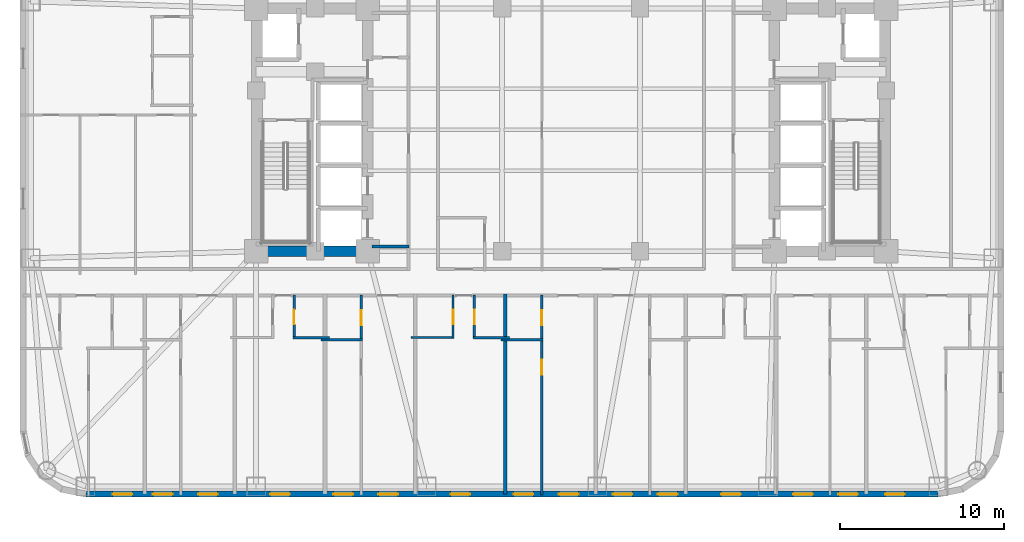
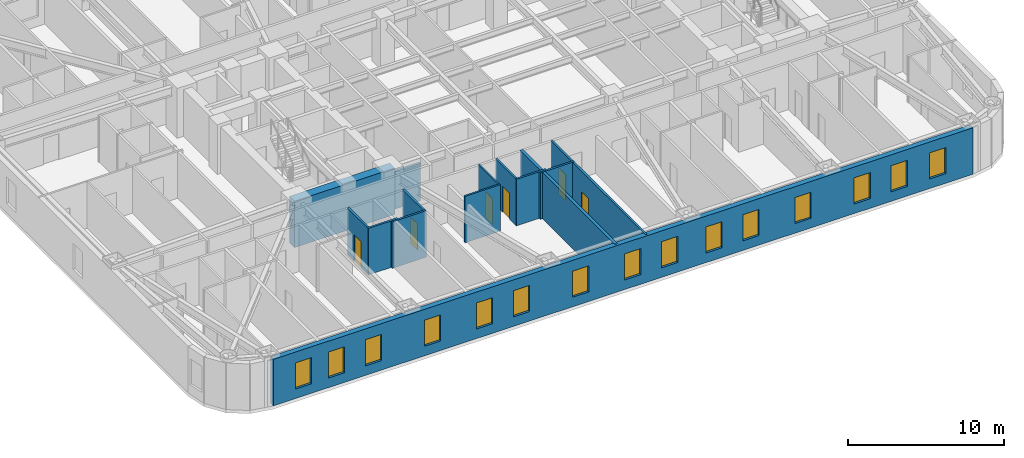
# One storey, part 3 of 11: 15 walls, 15 windows, 6 doors, 21 openings.
"""IFC4 building model written with IfcOpenShell, lengths in metres."""

from ifc_helpers import new_model, si_unit, direction, frame, frame_2d, origin, place, context, subcontext, project, spatial, rectangle, extrude, material, layer, layer_set, type_object, element, fill, save


model = new_model("IFC4")

# Units and contexts
model_context = context("Model", 3, precision=1e-05, world=origin(), true_north=direction((0.0, 1.0)))
body_context = subcontext(model_context, "Body", "Model", "MODEL_VIEW")
ifc_project = project(units=[si_unit("LENGTHUNIT", "METRE"), si_unit("AREAUNIT", "SQUARE_METRE"), si_unit("VOLUMEUNIT", "CUBIC_METRE"), si_unit("PLANEANGLEUNIT", "RADIAN"), si_unit("MASSUNIT", "GRAM", prefix="KILO")], contexts=[model_context])

# Site, building, storey
site_placement = place(None, origin())
site = spatial("IfcSite", under=ifc_project, at=site_placement, CompositionType="ELEMENT")
building_placement = place(site_placement, origin())
building = spatial("IfcBuilding", under=site, at=building_placement, Name="Voryun Gate Residences", CompositionType="ELEMENT")
storey_placement = place(building_placement, frame((0.0, 0.0, 68.89990234375)))
storey = spatial("IfcBuildingStorey", under=building, at=storey_placement, Name="L16", CompositionType="ELEMENT", Elevation=68.89990234375)

# Walls
ifc_material_1 = material(Name="Concrete C60/75", Category="concrete")
ifc_layer_1 = layer(ifc_material_1, 0.64990234375, Name="CW_CORE_650")
ifc_layer_set_1 = layer_set([ifc_layer_1], Name="Concrete C60/75")
wall_type_1 = type_object("IfcWallType", Name="CW_CORE_650", PredefinedType="SHEAR", material=ifc_layer_set_1)
wall_1_placement = place(storey_placement, frame((-19.52490234375, -7.39990234375, 0.0), z_axis=(0.0, 0.0, 1.0), x_axis=(1.0, 0.0, 0.0)))
element("IfcWall", 1, at=wall_1_placement, inside=storey, type_object=wall_type_1, Name="L16 Core shear wall CW-L16-WS", PredefinedType="SHEAR", context=body_context, shape_type="SweptSolid", body=[
    extrude(rectangle(XDim=7.449951171875, YDim=0.64990234375, at=frame_2d((3.72509765625, 0.0))), origin(), (0.0, 0.0, 1.0), 3.650146484375),
])
ifc_material_2 = material(Name="Gypsum acoustic fireboard")
ifc_layer_2 = layer(ifc_material_2, 0.179931640625, Name="W_CORR_RATED_180")
ifc_layer_set_2 = layer_set([ifc_layer_2], Name="Gypsum acoustic fireboard")
wall_type_2 = type_object("IfcWallType", Name="W_CORR_RATED_180", PredefinedType="PARTITIONING", material=ifc_layer_set_2)
wall_2_placement = place(storey_placement, frame((-12.14990234375, -7.1201171875, 0.0), z_axis=(0.0, 0.0, 1.0), x_axis=(1.0, 0.0, 0.0)))
element("IfcWall", 2, at=wall_2_placement, inside=storey, type_object=wall_type_2, Name="Partition wall WP-L16-PLBS-W", PredefinedType="PARTITIONING", context=body_context, shape_type="SweptSolid", body=[
    extrude(rectangle(XDim=2.27001953125, YDim=0.179931640625, at=frame_2d((1.135009765625, 0.0))), origin(), (0.0, 0.0, 1.0), 2.940185546875),
])

# Wall, openings, windows
ifc_material_3 = material(Name="Granite masonry", Category="masonry")
ifc_layer_3 = layer(ifc_material_3, 0.3798828125, Name="W_EXT_GRANITE_380")
ifc_layer_set_3 = layer_set([ifc_layer_3], Name="Granite masonry")
wall_type_3 = type_object("IfcWallType", Name="W_EXT_GRANITE_380", PredefinedType="ELEMENTEDWALL", material=ifc_layer_set_3)
wall_3_placement = place(storey_placement, frame((22.38134765625, -22.2099609375, 0.0), z_axis=(0.0, 0.0, 1.0), x_axis=(-1.0, 0.0, 0.0)))
wall_3 = element("IfcWall", 3, at=wall_3_placement, inside=storey, type_object=wall_type_3, Name="Exterior wall WEXT-L16-01", PredefinedType="ELEMENTEDWALL", context=body_context, shape_type="SweptSolid", body=[
    extrude(rectangle(XDim=51.962646484375, YDim=0.3798828125, at=frame_2d((25.9814453125, 0.0))), origin(), (0.0, 0.0, 1.0), 3.650146484375),
])
opening_1_placement = place(wall_3_placement, frame((49.126953125, 0.0, 0.75)))
opening_1 = element("IfcOpeningElement", 4, at=opening_1_placement, cuts=wall_3, Name="Opening WN6", PredefinedType="OPENING", context=body_context, shape_type="SweptSolid", body=[
    extrude(rectangle(XDim=1.199951171875, YDim=2.050048828125, at=frame_2d((0.60009765625, 1.02490234375))), frame((0.0, 0.199951171875, 0.0), z_axis=(0.0, -1.0, 0.0), x_axis=(1.0, 0.0, 0.0)), (0.0, 0.0, 1.0), 0.39990234375),
])
opening_2_placement = place(wall_3_placement, frame((43.92626953125, 0.0, 0.75)))
opening_2 = element("IfcOpeningElement", 5, at=opening_2_placement, cuts=wall_3, Name="Opening WN6", PredefinedType="OPENING", context=body_context, shape_type="SweptSolid", body=[
    extrude(rectangle(XDim=1.199951171875, YDim=2.050048828125, at=frame_2d((0.60009765625, 1.02490234375))), frame((0.0, 0.199951171875, 0.0), z_axis=(0.0, -1.0, 0.0), x_axis=(1.0, 0.0, 0.0)), (0.0, 0.0, 1.0), 0.39990234375),
])
opening_3_placement = place(wall_3_placement, frame((46.67626953125, 0.0, 0.75)))
opening_3 = element("IfcOpeningElement", 6, at=opening_3_placement, cuts=wall_3, Name="Opening WN6", PredefinedType="OPENING", context=body_context, shape_type="SweptSolid", body=[
    extrude(rectangle(XDim=1.199951171875, YDim=2.050048828125, at=frame_2d((0.60009765625, 1.02490234375))), frame((0.0, 0.199951171875, 0.0), z_axis=(0.0, -1.0, 0.0), x_axis=(1.0, 0.0, 0.0)), (0.0, 0.0, 1.0), 0.39990234375),
])
opening_4_placement = place(wall_3_placement, frame((39.53125, 0.0, 0.75)))
opening_4 = element("IfcOpeningElement", 7, at=opening_4_placement, cuts=wall_3, Name="Opening WN6", PredefinedType="OPENING", context=body_context, shape_type="SweptSolid", body=[
    extrude(rectangle(XDim=1.199951171875, YDim=2.050048828125, at=frame_2d((0.60009765625, 1.02490234375))), frame((0.0, 0.199951171875, 0.0), z_axis=(0.0, -1.0, 0.0), x_axis=(1.0, 0.0, 0.0)), (0.0, 0.0, 1.0), 0.39990234375),
])
opening_5_placement = place(wall_3_placement, frame((32.92626953125, 0.0, 0.75)))
opening_5 = element("IfcOpeningElement", 8, at=opening_5_placement, cuts=wall_3, Name="Opening WN6", PredefinedType="OPENING", context=body_context, shape_type="SweptSolid", body=[
    extrude(rectangle(XDim=1.199951171875, YDim=2.050048828125, at=frame_2d((0.60009765625, 1.02490234375))), frame((0.0, 0.199951171875, 0.0), z_axis=(0.0, -1.0, 0.0), x_axis=(1.0, 0.0, 0.0)), (0.0, 0.0, 1.0), 0.39990234375),
])
opening_6_placement = place(wall_3_placement, frame((35.67626953125, 0.0, 0.75)))
opening_6 = element("IfcOpeningElement", 9, at=opening_6_placement, cuts=wall_3, Name="Opening WN6", PredefinedType="OPENING", context=body_context, shape_type="SweptSolid", body=[
    extrude(rectangle(XDim=1.199951171875, YDim=2.050048828125, at=frame_2d((0.60009765625, 1.02490234375))), frame((0.0, 0.199951171875, 0.0), z_axis=(0.0, -1.0, 0.0), x_axis=(1.0, 0.0, 0.0)), (0.0, 0.0, 1.0), 0.39990234375),
])
opening_7_placement = place(wall_3_placement, frame((28.53125, 0.0, 0.75)))
opening_7 = element("IfcOpeningElement", 10, at=opening_7_placement, cuts=wall_3, Name="Opening WN6", PredefinedType="OPENING", context=body_context, shape_type="SweptSolid", body=[
    extrude(rectangle(XDim=1.199951171875, YDim=2.050048828125, at=frame_2d((0.60009765625, 1.02490234375))), frame((0.0, 0.199951171875, 0.0), z_axis=(0.0, -1.0, 0.0), x_axis=(1.0, 0.0, 0.0)), (0.0, 0.0, 1.0), 0.39990234375),
])
opening_8_placement = place(wall_3_placement, frame((21.92626953125, 0.0, 0.75)))
opening_8 = element("IfcOpeningElement", 11, at=opening_8_placement, cuts=wall_3, Name="Opening WN6", PredefinedType="OPENING", context=body_context, shape_type="SweptSolid", body=[
    extrude(rectangle(XDim=1.199951171875, YDim=2.050048828125, at=frame_2d((0.60009765625, 1.02490234375))), frame((0.0, 0.199951171875, 0.0), z_axis=(0.0, -1.0, 0.0), x_axis=(1.0, 0.0, 0.0)), (0.0, 0.0, 1.0), 0.39990234375),
])
opening_9_placement = place(wall_3_placement, frame((24.67626953125, 0.0, 0.75)))
opening_9 = element("IfcOpeningElement", 12, at=opening_9_placement, cuts=wall_3, Name="Opening WN6", PredefinedType="OPENING", context=body_context, shape_type="SweptSolid", body=[
    extrude(rectangle(XDim=1.199951171875, YDim=2.050048828125, at=frame_2d((0.60009765625, 1.02490234375))), frame((0.0, 0.199951171875, 0.0), z_axis=(0.0, -1.0, 0.0), x_axis=(1.0, 0.0, 0.0)), (0.0, 0.0, 1.0), 0.39990234375),
])
opening_10_placement = place(wall_3_placement, frame((18.63623046875, 0.0, 0.75)))
opening_10 = element("IfcOpeningElement", 13, at=opening_10_placement, cuts=wall_3, Name="Opening WN6", PredefinedType="OPENING", context=body_context, shape_type="SweptSolid", body=[
    extrude(rectangle(XDim=1.199951171875, YDim=2.050048828125, at=frame_2d((0.60009765625, 1.02490234375))), frame((0.0, 0.199951171875, 0.0), z_axis=(0.0, -1.0, 0.0), x_axis=(1.0, 0.0, 0.0)), (0.0, 0.0, 1.0), 0.39990234375),
])
opening_11_placement = place(wall_3_placement, frame((15.88623046875, 0.0, 0.75)))
opening_11 = element("IfcOpeningElement", 14, at=opening_11_placement, cuts=wall_3, Name="Opening WN6", PredefinedType="OPENING", context=body_context, shape_type="SweptSolid", body=[
    extrude(rectangle(XDim=1.199951171875, YDim=2.050048828125, at=frame_2d((0.60009765625, 1.02490234375))), frame((0.0, 0.199951171875, 0.0), z_axis=(0.0, -1.0, 0.0), x_axis=(1.0, 0.0, 0.0)), (0.0, 0.0, 1.0), 0.39990234375),
])
opening_12_placement = place(wall_3_placement, frame((12.03125, 0.0, 0.75)))
opening_12 = element("IfcOpeningElement", 15, at=opening_12_placement, cuts=wall_3, Name="Opening WN6", PredefinedType="OPENING", context=body_context, shape_type="SweptSolid", body=[
    extrude(rectangle(XDim=1.199951171875, YDim=2.050048828125, at=frame_2d((0.60009765625, 1.02490234375))), frame((0.0, 0.199951171875, 0.0), z_axis=(0.0, -1.0, 0.0), x_axis=(1.0, 0.0, 0.0)), (0.0, 0.0, 1.0), 0.39990234375),
])
opening_13_placement = place(wall_3_placement, frame((7.63623046875, 0.0, 0.75)))
opening_13 = element("IfcOpeningElement", 16, at=opening_13_placement, cuts=wall_3, Name="Opening WN6", PredefinedType="OPENING", context=body_context, shape_type="SweptSolid", body=[
    extrude(rectangle(XDim=1.199951171875, YDim=2.050048828125, at=frame_2d((0.60009765625, 1.02490234375))), frame((0.0, 0.199951171875, 0.0), z_axis=(0.0, -1.0, 0.0), x_axis=(1.0, 0.0, 0.0)), (0.0, 0.0, 1.0), 0.39990234375),
])
opening_14_placement = place(wall_3_placement, frame((4.88623046875, 0.0, 0.75)))
opening_14 = element("IfcOpeningElement", 17, at=opening_14_placement, cuts=wall_3, Name="Opening WN6", PredefinedType="OPENING", context=body_context, shape_type="SweptSolid", body=[
    extrude(rectangle(XDim=1.199951171875, YDim=2.050048828125, at=frame_2d((0.60009765625, 1.02490234375))), frame((0.0, 0.199951171875, 0.0), z_axis=(0.0, -1.0, 0.0), x_axis=(1.0, 0.0, 0.0)), (0.0, 0.0, 1.0), 0.39990234375),
])
opening_15_placement = place(wall_3_placement, frame((2.03564453125, 0.0, 0.75)))
opening_15 = element("IfcOpeningElement", 18, at=opening_15_placement, cuts=wall_3, Name="Opening WN6", PredefinedType="OPENING", context=body_context, shape_type="SweptSolid", body=[
    extrude(rectangle(XDim=1.199951171875, YDim=2.050048828125, at=frame_2d((0.60009765625, 1.02490234375))), frame((0.0, 0.199951171875, 0.0), z_axis=(0.0, -1.0, 0.0), x_axis=(1.0, 0.0, 0.0)), (0.0, 0.0, 1.0), 0.39990234375),
])
ifc_material_4 = material(Name="Laminated low-E glass", Category="glass")
window_type = type_object("IfcWindowType", Name="WN_POD_SLOT_1200", PartitioningType="SINGLE_PANEL", PredefinedType="WINDOW", material=ifc_material_4)
window_1_placement = place(opening_1_placement, origin())
window_1 = element("IfcWindow", 19, at=window_1_placement, inside=storey, type_object=window_type, Name="Window WN-L16-DWFIX-15", OverallHeight=2.050048828125, OverallWidth=1.199951171875, PartitioningType="SINGLE_PANEL", PredefinedType="WINDOW", context=body_context, shape_type="SweptSolid", body=[
    extrude(rectangle(XDim=1.199951171875, YDim=2.050048828125, at=frame_2d((0.60009765625, 1.02490234375))), frame((0.0, 0.030029296875, 0.0), z_axis=(0.0, -1.0, 0.0), x_axis=(1.0, 0.0, 0.0)), (0.0, 0.0, 1.0), 0.06005859375),
])
fill(opening_1, window_1)
window_2_placement = place(opening_2_placement, origin())
window_2 = element("IfcWindow", 20, at=window_2_placement, inside=storey, type_object=window_type, Name="Window WN-L16-DWFIX-16", OverallHeight=2.050048828125, OverallWidth=1.199951171875, PartitioningType="SINGLE_PANEL", PredefinedType="WINDOW", context=body_context, shape_type="SweptSolid", body=[
    extrude(rectangle(XDim=1.199951171875, YDim=2.050048828125, at=frame_2d((0.60009765625, 1.02490234375))), frame((0.0, 0.030029296875, 0.0), z_axis=(0.0, -1.0, 0.0), x_axis=(1.0, 0.0, 0.0)), (0.0, 0.0, 1.0), 0.06005859375),
])
fill(opening_2, window_2)
window_3_placement = place(opening_3_placement, origin())
window_3 = element("IfcWindow", 21, at=window_3_placement, inside=storey, type_object=window_type, Name="Window WN-L16-DWFIX-17", OverallHeight=2.050048828125, OverallWidth=1.199951171875, PartitioningType="SINGLE_PANEL", PredefinedType="WINDOW", context=body_context, shape_type="SweptSolid", body=[
    extrude(rectangle(XDim=1.199951171875, YDim=2.050048828125, at=frame_2d((0.60009765625, 1.02490234375))), frame((0.0, 0.030029296875, 0.0), z_axis=(0.0, -1.0, 0.0), x_axis=(1.0, 0.0, 0.0)), (0.0, 0.0, 1.0), 0.06005859375),
])
fill(opening_3, window_3)
window_4_placement = place(opening_4_placement, origin())
window_4 = element("IfcWindow", 22, at=window_4_placement, inside=storey, type_object=window_type, Name="Window WN-L16-DWFIX-18", OverallHeight=2.050048828125, OverallWidth=1.199951171875, PartitioningType="SINGLE_PANEL", PredefinedType="WINDOW", context=body_context, shape_type="SweptSolid", body=[
    extrude(rectangle(XDim=1.199951171875, YDim=2.050048828125, at=frame_2d((0.60009765625, 1.02490234375))), frame((0.0, 0.030029296875, 0.0), z_axis=(0.0, -1.0, 0.0), x_axis=(1.0, 0.0, 0.0)), (0.0, 0.0, 1.0), 0.06005859375),
])
fill(opening_4, window_4)
window_5_placement = place(opening_5_placement, origin())
window_5 = element("IfcWindow", 23, at=window_5_placement, inside=storey, type_object=window_type, Name="Window WN-L16-DWFIX-19", OverallHeight=2.050048828125, OverallWidth=1.199951171875, PartitioningType="SINGLE_PANEL", PredefinedType="WINDOW", context=body_context, shape_type="SweptSolid", body=[
    extrude(rectangle(XDim=1.199951171875, YDim=2.050048828125, at=frame_2d((0.60009765625, 1.02490234375))), frame((0.0, 0.030029296875, 0.0), z_axis=(0.0, -1.0, 0.0), x_axis=(1.0, 0.0, 0.0)), (0.0, 0.0, 1.0), 0.06005859375),
])
fill(opening_5, window_5)
window_6_placement = place(opening_6_placement, origin())
window_6 = element("IfcWindow", 24, at=window_6_placement, inside=storey, type_object=window_type, Name="Window WN-L16-DWFIX-20", OverallHeight=2.050048828125, OverallWidth=1.199951171875, PartitioningType="SINGLE_PANEL", PredefinedType="WINDOW", context=body_context, shape_type="SweptSolid", body=[
    extrude(rectangle(XDim=1.199951171875, YDim=2.050048828125, at=frame_2d((0.60009765625, 1.02490234375))), frame((0.0, 0.030029296875, 0.0), z_axis=(0.0, -1.0, 0.0), x_axis=(1.0, 0.0, 0.0)), (0.0, 0.0, 1.0), 0.06005859375),
])
fill(opening_6, window_6)
window_7_placement = place(opening_7_placement, origin())
window_7 = element("IfcWindow", 25, at=window_7_placement, inside=storey, type_object=window_type, Name="Window WN-L16-DWFIX-21", OverallHeight=2.050048828125, OverallWidth=1.199951171875, PartitioningType="SINGLE_PANEL", PredefinedType="WINDOW", context=body_context, shape_type="SweptSolid", body=[
    extrude(rectangle(XDim=1.199951171875, YDim=2.050048828125, at=frame_2d((0.60009765625, 1.02490234375))), frame((0.0, 0.030029296875, 0.0), z_axis=(0.0, -1.0, 0.0), x_axis=(1.0, 0.0, 0.0)), (0.0, 0.0, 1.0), 0.06005859375),
])
fill(opening_7, window_7)
window_8_placement = place(opening_8_placement, origin())
window_8 = element("IfcWindow", 26, at=window_8_placement, inside=storey, type_object=window_type, Name="Window WN-L16-DWFIX-22", OverallHeight=2.050048828125, OverallWidth=1.199951171875, PartitioningType="SINGLE_PANEL", PredefinedType="WINDOW", context=body_context, shape_type="SweptSolid", body=[
    extrude(rectangle(XDim=1.199951171875, YDim=2.050048828125, at=frame_2d((0.60009765625, 1.02490234375))), frame((0.0, 0.030029296875, 0.0), z_axis=(0.0, -1.0, 0.0), x_axis=(1.0, 0.0, 0.0)), (0.0, 0.0, 1.0), 0.06005859375),
])
fill(opening_8, window_8)
window_9_placement = place(opening_9_placement, origin())
window_9 = element("IfcWindow", 27, at=window_9_placement, inside=storey, type_object=window_type, Name="Window WN-L16-DWFIX-23", OverallHeight=2.050048828125, OverallWidth=1.199951171875, PartitioningType="SINGLE_PANEL", PredefinedType="WINDOW", context=body_context, shape_type="SweptSolid", body=[
    extrude(rectangle(XDim=1.199951171875, YDim=2.050048828125, at=frame_2d((0.60009765625, 1.02490234375))), frame((0.0, 0.030029296875, 0.0), z_axis=(0.0, -1.0, 0.0), x_axis=(1.0, 0.0, 0.0)), (0.0, 0.0, 1.0), 0.06005859375),
])
fill(opening_9, window_9)
window_10_placement = place(opening_10_placement, origin())
window_10 = element("IfcWindow", 28, at=window_10_placement, inside=storey, type_object=window_type, Name="Window WN-L16-DWFIX-24", OverallHeight=2.050048828125, OverallWidth=1.199951171875, PartitioningType="SINGLE_PANEL", PredefinedType="WINDOW", context=body_context, shape_type="SweptSolid", body=[
    extrude(rectangle(XDim=1.199951171875, YDim=2.050048828125, at=frame_2d((0.60009765625, 1.02490234375))), frame((0.0, 0.030029296875, 0.0), z_axis=(0.0, -1.0, 0.0), x_axis=(1.0, 0.0, 0.0)), (0.0, 0.0, 1.0), 0.06005859375),
])
fill(opening_10, window_10)
window_11_placement = place(opening_11_placement, origin())
window_11 = element("IfcWindow", 29, at=window_11_placement, inside=storey, type_object=window_type, Name="Window WN-L16-DWFIX-25", OverallHeight=2.050048828125, OverallWidth=1.199951171875, PartitioningType="SINGLE_PANEL", PredefinedType="WINDOW", context=body_context, shape_type="SweptSolid", body=[
    extrude(rectangle(XDim=1.199951171875, YDim=2.050048828125, at=frame_2d((0.60009765625, 1.02490234375))), frame((0.0, 0.030029296875, 0.0), z_axis=(0.0, -1.0, 0.0), x_axis=(1.0, 0.0, 0.0)), (0.0, 0.0, 1.0), 0.06005859375),
])
fill(opening_11, window_11)
window_12_placement = place(opening_12_placement, origin())
window_12 = element("IfcWindow", 30, at=window_12_placement, inside=storey, type_object=window_type, Name="Window WN-L16-DWFIX-26", OverallHeight=2.050048828125, OverallWidth=1.199951171875, PartitioningType="SINGLE_PANEL", PredefinedType="WINDOW", context=body_context, shape_type="SweptSolid", body=[
    extrude(rectangle(XDim=1.199951171875, YDim=2.050048828125, at=frame_2d((0.60009765625, 1.02490234375))), frame((0.0, 0.030029296875, 0.0), z_axis=(0.0, -1.0, 0.0), x_axis=(1.0, 0.0, 0.0)), (0.0, 0.0, 1.0), 0.06005859375),
])
fill(opening_12, window_12)
window_13_placement = place(opening_13_placement, origin())
window_13 = element("IfcWindow", 31, at=window_13_placement, inside=storey, type_object=window_type, Name="Window WN-L16-DWFIX-27", OverallHeight=2.050048828125, OverallWidth=1.199951171875, PartitioningType="SINGLE_PANEL", PredefinedType="WINDOW", context=body_context, shape_type="SweptSolid", body=[
    extrude(rectangle(XDim=1.199951171875, YDim=2.050048828125, at=frame_2d((0.60009765625, 1.02490234375))), frame((0.0, 0.030029296875, 0.0), z_axis=(0.0, -1.0, 0.0), x_axis=(1.0, 0.0, 0.0)), (0.0, 0.0, 1.0), 0.06005859375),
])
fill(opening_13, window_13)
window_14_placement = place(opening_14_placement, origin())
window_14 = element("IfcWindow", 32, at=window_14_placement, inside=storey, type_object=window_type, Name="Window WN-L16-DWFIX-28", OverallHeight=2.050048828125, OverallWidth=1.199951171875, PartitioningType="SINGLE_PANEL", PredefinedType="WINDOW", context=body_context, shape_type="SweptSolid", body=[
    extrude(rectangle(XDim=1.199951171875, YDim=2.050048828125, at=frame_2d((0.60009765625, 1.02490234375))), frame((0.0, 0.030029296875, 0.0), z_axis=(0.0, -1.0, 0.0), x_axis=(1.0, 0.0, 0.0)), (0.0, 0.0, 1.0), 0.06005859375),
])
fill(opening_14, window_14)
window_15_placement = place(opening_15_placement, origin())
window_15 = element("IfcWindow", 33, at=window_15_placement, inside=storey, type_object=window_type, Name="Window WN-L16-DWFIX-29", OverallHeight=2.050048828125, OverallWidth=1.199951171875, PartitioningType="SINGLE_PANEL", PredefinedType="WINDOW", context=body_context, shape_type="SweptSolid", body=[
    extrude(rectangle(XDim=1.199951171875, YDim=2.050048828125, at=frame_2d((0.60009765625, 1.02490234375))), frame((0.0, 0.030029296875, 0.0), z_axis=(0.0, -1.0, 0.0), x_axis=(1.0, 0.0, 0.0)), (0.0, 0.0, 1.0), 0.06005859375),
])
fill(opening_15, window_15)

# Wall
ifc_material_5 = material(Name="Concrete C40/50", Category="concrete")
ifc_layer_4 = layer(ifc_material_5, 0.219970703125, Name="W_PARTY_ACOUSTIC_220")
ifc_layer_set_4 = layer_set([ifc_layer_4], Name="Concrete C40/50")
wall_type_4 = type_object("IfcWallType", Name="W_PARTY_ACOUSTIC_220", PredefinedType="PARTITIONING", material=ifc_layer_set_4)
wall_4_placement = place(storey_placement, frame((-4.0, -22.2099609375, 0.0), z_axis=(0.0, 0.0, 1.0), x_axis=(0.0, 1.0, 0.0)))
element("IfcWall", 34, at=wall_4_placement, inside=storey, type_object=wall_type_4, Name="Partition wall WP-L16-SPTY-5", PredefinedType="PARTITIONING", context=body_context, shape_type="SweptSolid", body=[
    extrude(rectangle(XDim=12.18994140625, YDim=0.219970703125, at=frame_2d((6.094970703125, 0.0))), origin(), (0.0, 0.0, 1.0), 3.650146484375),
])

# Wall, opening, door
ifc_material_6 = material(Name="Gypsum acoustic partition")
ifc_layer_5 = layer(ifc_material_6, 0.125, Name="W_UNIT_PART_125")
ifc_layer_set_5 = layer_set([ifc_layer_5], Name="Gypsum acoustic partition")
wall_type_5 = type_object("IfcWallType", Name="W_UNIT_PART_125", PredefinedType="PARTITIONING", material=ifc_layer_set_5)
wall_5_placement = place(storey_placement, frame((-7.18994140625, -12.72998046875, 0.0), z_axis=(0.0, 0.0, 1.0), x_axis=(0.0, 1.0, 0.0)))
wall_5 = element("IfcWall", 35, at=wall_5_placement, inside=storey, type_object=wall_type_5, Name="Partition wall WP-L16-S5-CVK", PredefinedType="PARTITIONING", context=body_context, shape_type="SweptSolid", body=[
    extrude(rectangle(XDim=2.64990234375, YDim=0.125, at=frame_2d((1.324951171875, 0.0))), origin(), (0.0, 0.0, 1.0), 3.650146484375),
])
opening_16_placement = place(wall_5_placement, frame((0.875, 0.0, 0.0)))
opening_16 = element("IfcOpeningElement", 36, at=opening_16_placement, cuts=wall_5, Name="Opening D-INT-2", PredefinedType="OPENING", context=body_context, shape_type="SweptSolid", body=[
    extrude(rectangle(XDim=0.89990234375, YDim=2.050048828125, at=frame_2d((0.449951171875, 1.02490234375))), frame((0.0, 0.072509765625, 0.0), z_axis=(0.0, -1.0, 0.0), x_axis=(1.0, 0.0, 0.0)), (0.0, 0.0, 1.0), 0.14501953125),
])
ifc_material_7 = material(Name="Architectural oak veneer")
door_type = type_object("IfcDoorType", Name="DR_INT_BATH_900", OperationType="NOTDEFINED", PredefinedType="DOOR", material=ifc_material_7)
door_1_placement = place(opening_16_placement, origin())
door_1 = element("IfcDoor", 37, at=door_1_placement, inside=storey, type_object=door_type, Name="Door DR-L16-S5-DK", OperationType="SINGLE_SWING_LEFT", OverallHeight=2.050048828125, OverallWidth=0.89990234375, PredefinedType="DOOR", context=body_context, shape_type="SweptSolid", body=[
    extrude(rectangle(XDim=0.89990234375, YDim=2.050048828125, at=frame_2d((0.449951171875, 1.02490234375))), frame((0.0, 0.02490234375, 0.0), z_axis=(0.0, -1.0, 0.0), x_axis=(1.0, 0.0, 0.0)), (0.0, 0.0, 1.0), 0.050048828125),
])
fill(opening_16, door_1)

# Wall
wall_6_placement = place(storey_placement, frame((-9.760009765625, -12.669921875, 0.0), z_axis=(0.0, 0.0, 1.0), x_axis=(1.0, 0.0, 0.0)))
element("IfcWall", 38, at=wall_6_placement, inside=storey, type_object=wall_type_5, Name="Partition wall WP-L16-S5-CHK", PredefinedType="PARTITIONING", context=body_context, shape_type="SweptSolid", body=[
    extrude(rectangle(XDim=2.630126953125, YDim=0.125, at=frame_2d((1.31494140625, 0.0))), origin(), (0.0, 0.0, 1.0), 3.650146484375),
])

# Wall, opening, door
ifc_material_8 = material(Name="Gypsum moisture-resistant partition")
ifc_layer_6 = layer(ifc_material_8, 0.14990234375, Name="W_WET_PLUMB_150")
ifc_layer_set_6 = layer_set([ifc_layer_6], Name="Gypsum moisture-resistant partition")
wall_type_6 = type_object("IfcWallType", Name="W_WET_PLUMB_150", PredefinedType="PLUMBINGWALL", material=ifc_layer_set_6)
wall_7_placement = place(storey_placement, frame((-16.888916015625, -12.72998046875, 0.0), z_axis=(0.0, 0.0, 1.0), x_axis=(0.0, 1.0, 0.0)))
wall_7 = element("IfcWall", 39, at=wall_7_placement, inside=storey, type_object=wall_type_6, Name="Partition wall WP-L16-S3-CVB", PredefinedType="PLUMBINGWALL", context=body_context, shape_type="SweptSolid", body=[
    extrude(rectangle(XDim=2.64990234375, YDim=0.14990234375, at=frame_2d((1.324951171875, 0.0))), origin(), (0.0, 0.0, 1.0), 3.650146484375),
])
opening_17_placement = place(wall_7_placement, frame((0.875, 0.0, 0.0)))
opening_17 = element("IfcOpeningElement", 40, at=opening_17_placement, cuts=wall_7, Name="Opening D-INT-2", PredefinedType="OPENING", context=body_context, shape_type="SweptSolid", body=[
    extrude(rectangle(XDim=0.89990234375, YDim=2.050048828125, at=frame_2d((0.449951171875, 1.02490234375))), frame((0.0, 0.0849609375, 0.0), z_axis=(0.0, -1.0, 0.0), x_axis=(1.0, 0.0, 0.0)), (0.0, 0.0, 1.0), 0.169921875),
])
door_2_placement = place(opening_17_placement, origin())
door_2 = element("IfcDoor", 41, at=door_2_placement, inside=storey, type_object=door_type, Name="Door DR-L16-S3-DB", OperationType="SINGLE_SWING_RIGHT", OverallHeight=2.050048828125, OverallWidth=0.89990234375, PredefinedType="DOOR", context=body_context, shape_type="SweptSolid", body=[
    extrude(rectangle(XDim=0.89990234375, YDim=2.050048828125, at=frame_2d((0.449951171875, 1.02490234375))), frame((0.0, 0.02490234375, 0.0), z_axis=(0.0, -1.0, 0.0), x_axis=(1.0, 0.0, 0.0)), (0.0, 0.0, 1.0), 0.050048828125),
])
fill(opening_17, door_2)

# Walls
wall_8_placement = place(storey_placement, frame((-16.948974609375, -12.669921875, 0.0), z_axis=(0.0, 0.0, 1.0), x_axis=(1.0, 0.0, 0.0)))
element("IfcWall", 42, at=wall_8_placement, inside=storey, type_object=wall_type_6, Name="Partition wall WP-L16-S3-CHB", PredefinedType="PLUMBINGWALL", context=body_context, shape_type="SweptSolid", body=[
    extrude(rectangle(XDim=2.208984375, YDim=0.14990234375, at=frame_2d((1.1044921875, 0.0))), origin(), (0.0, 0.0, 1.0), 3.650146484375),
])
wall_9_placement = place(storey_placement, frame((-15.260009765625, -12.800048828125, 0.0), z_axis=(0.0, 0.0, 1.0), x_axis=(1.0, 0.0, 0.0)))
element("IfcWall", 43, at=wall_9_placement, inside=storey, type_object=wall_type_6, Name="Partition wall WP-L16-S4-SKB", PredefinedType="PLUMBINGWALL", context=body_context, shape_type="SweptSolid", body=[
    extrude(rectangle(XDim=2.550048828125, YDim=0.14990234375, at=frame_2d((1.27490234375, 0.0))), origin(), (0.0, 0.0, 1.0), 3.650146484375),
])

# Wall, opening, door
wall_10_placement = place(storey_placement, frame((-12.7900390625, -12.840087890625, 0.0), z_axis=(0.0, 0.0, 1.0), x_axis=(0.0, 1.0, 0.0)))
wall_10 = element("IfcWall", 44, at=wall_10_placement, inside=storey, type_object=wall_type_6, Name="Partition wall WP-L16-S4-SVT2", PredefinedType="PLUMBINGWALL", context=body_context, shape_type="SweptSolid", body=[
    extrude(rectangle(XDim=2.760009765625, YDim=0.14990234375, at=frame_2d((1.3798828125, 0.0))), origin(), (0.0, 0.0, 1.0), 3.650146484375),
])
opening_18_placement = place(wall_10_placement, frame((0.929931640625, 0.0, 0.0)))
opening_18 = element("IfcOpeningElement", 45, at=opening_18_placement, cuts=wall_10, Name="Opening D-INT-2", PredefinedType="OPENING", context=body_context, shape_type="SweptSolid", body=[
    extrude(rectangle(XDim=0.89990234375, YDim=2.050048828125, at=frame_2d((0.449951171875, 1.02490234375))), frame((0.0, 0.0849609375, 0.0), z_axis=(0.0, -1.0, 0.0), x_axis=(1.0, 0.0, 0.0)), (0.0, 0.0, 1.0), 0.169921875),
])
door_3_placement = place(opening_18_placement, origin())
door_3 = element("IfcDoor", 46, at=door_3_placement, inside=storey, type_object=door_type, Name="Door DR-L16-S4-DB", OperationType="SINGLE_SWING_RIGHT", OverallHeight=2.050048828125, OverallWidth=0.89990234375, PredefinedType="DOOR", context=body_context, shape_type="SweptSolid", body=[
    extrude(rectangle(XDim=0.89990234375, YDim=2.050048828125, at=frame_2d((0.449951171875, 1.02490234375))), frame((0.0, 0.02490234375, 0.0), z_axis=(0.0, -1.0, 0.0), x_axis=(1.0, 0.0, 0.0)), (0.0, 0.0, 1.0), 0.050048828125),
])
fill(opening_18, door_3)

wall_11_placement = place(storey_placement, frame((-5.888916015625, -12.72998046875, 0.0), z_axis=(0.0, 0.0, 1.0), x_axis=(0.0, 1.0, 0.0)))
wall_11 = element("IfcWall", 47, at=wall_11_placement, inside=storey, type_object=wall_type_6, Name="Partition wall WP-L16-S5-CVB", PredefinedType="PLUMBINGWALL", context=body_context, shape_type="SweptSolid", body=[
    extrude(rectangle(XDim=2.64990234375, YDim=0.14990234375, at=frame_2d((1.324951171875, 0.0))), origin(), (0.0, 0.0, 1.0), 3.650146484375),
])
opening_19_placement = place(wall_11_placement, frame((0.875, 0.0, 0.0)))
opening_19 = element("IfcOpeningElement", 48, at=opening_19_placement, cuts=wall_11, Name="Opening D-INT-2", PredefinedType="OPENING", context=body_context, shape_type="SweptSolid", body=[
    extrude(rectangle(XDim=0.89990234375, YDim=2.050048828125, at=frame_2d((0.449951171875, 1.02490234375))), frame((0.0, 0.0849609375, 0.0), z_axis=(0.0, -1.0, 0.0), x_axis=(1.0, 0.0, 0.0)), (0.0, 0.0, 1.0), 0.169921875),
])
door_4_placement = place(opening_19_placement, origin())
door_4 = element("IfcDoor", 49, at=door_4_placement, inside=storey, type_object=door_type, Name="Door DR-L16-S5-DB", OperationType="SINGLE_SWING_RIGHT", OverallHeight=2.050048828125, OverallWidth=0.89990234375, PredefinedType="DOOR", context=body_context, shape_type="SweptSolid", body=[
    extrude(rectangle(XDim=0.89990234375, YDim=2.050048828125, at=frame_2d((0.449951171875, 1.02490234375))), frame((0.0, 0.02490234375, 0.0), z_axis=(0.0, -1.0, 0.0), x_axis=(1.0, 0.0, 0.0)), (0.0, 0.0, 1.0), 0.050048828125),
])
fill(opening_19, door_4)

# Walls
wall_12_placement = place(storey_placement, frame((-5.948974609375, -12.669921875, 0.0), z_axis=(0.0, 0.0, 1.0), x_axis=(1.0, 0.0, 0.0)))
element("IfcWall", 50, at=wall_12_placement, inside=storey, type_object=wall_type_6, Name="Partition wall WP-L16-S5-CHB", PredefinedType="PLUMBINGWALL", context=body_context, shape_type="SweptSolid", body=[
    extrude(rectangle(XDim=2.208984375, YDim=0.14990234375, at=frame_2d((1.1044921875, 0.0))), origin(), (0.0, 0.0, 1.0), 3.650146484375),
])
wall_13_placement = place(storey_placement, frame((-4.260009765625, -12.800048828125, 0.0), z_axis=(0.0, 0.0, 1.0), x_axis=(1.0, 0.0, 0.0)))
element("IfcWall", 51, at=wall_13_placement, inside=storey, type_object=wall_type_6, Name="Partition wall WP-L16-S6-SKB", PredefinedType="PLUMBINGWALL", context=body_context, shape_type="SweptSolid", body=[
    extrude(rectangle(XDim=2.550048828125, YDim=0.14990234375, at=frame_2d((1.27490234375, 0.0))), origin(), (0.0, 0.0, 1.0), 3.650146484375),
])

# Wall, opening, door
wall_14_placement = place(storey_placement, frame((-1.7900390625, -22.257568359375, 0.0), z_axis=(0.0, 0.0, 1.0), x_axis=(0.0, 1.0, 0.0)))
wall_14 = element("IfcWall", 52, at=wall_14_placement, inside=storey, type_object=wall_type_6, Name="Partition wall WP-L16-S6-SVT1", PredefinedType="PLUMBINGWALL", context=body_context, shape_type="SweptSolid", body=[
    extrude(rectangle(XDim=9.49755859375, YDim=0.14990234375, at=frame_2d((4.748779296875, 0.0))), origin(), (0.0, 0.0, 1.0), 3.650146484375),
])
opening_20_placement = place(wall_14_placement, frame((7.337890625, 0.0, 0.0)))
opening_20 = element("IfcOpeningElement", 53, at=opening_20_placement, cuts=wall_14, Name="Opening D-INT-2", PredefinedType="OPENING", context=body_context, shape_type="SweptSolid", body=[
    extrude(rectangle(XDim=0.89990234375, YDim=2.050048828125, at=frame_2d((0.449951171875, 1.02490234375))), frame((0.0, 0.0849609375, 0.0), z_axis=(0.0, -1.0, 0.0), x_axis=(1.0, 0.0, 0.0)), (0.0, 0.0, 1.0), 0.169921875),
])
door_5_placement = place(opening_20_placement, origin())
door_5 = element("IfcDoor", 54, at=door_5_placement, inside=storey, type_object=door_type, Name="Door DR-L16-S6-DK", OperationType="SINGLE_SWING_LEFT", OverallHeight=2.050048828125, OverallWidth=0.89990234375, PredefinedType="DOOR", context=body_context, shape_type="SweptSolid", body=[
    extrude(rectangle(XDim=0.89990234375, YDim=2.050048828125, at=frame_2d((0.449951171875, 1.02490234375))), frame((0.0, 0.02490234375, 0.0), z_axis=(0.0, -1.0, 0.0), x_axis=(1.0, 0.0, 0.0)), (0.0, 0.0, 1.0), 0.050048828125),
])
fill(opening_20, door_5)

wall_15_placement = place(storey_placement, frame((-1.7900390625, -12.840087890625, 0.0), z_axis=(0.0, 0.0, 1.0), x_axis=(0.0, 1.0, 0.0)))
wall_15 = element("IfcWall", 55, at=wall_15_placement, inside=storey, type_object=wall_type_6, Name="Partition wall WP-L16-S6-SVT2", PredefinedType="PLUMBINGWALL", context=body_context, shape_type="SweptSolid", body=[
    extrude(rectangle(XDim=2.760009765625, YDim=0.14990234375, at=frame_2d((1.3798828125, 0.0))), origin(), (0.0, 0.0, 1.0), 3.650146484375),
])
opening_21_placement = place(wall_15_placement, frame((0.929931640625, 0.0, 0.0)))
opening_21 = element("IfcOpeningElement", 56, at=opening_21_placement, cuts=wall_15, Name="Opening D-INT-2", PredefinedType="OPENING", context=body_context, shape_type="SweptSolid", body=[
    extrude(rectangle(XDim=0.89990234375, YDim=2.050048828125, at=frame_2d((0.449951171875, 1.02490234375))), frame((0.0, 0.0849609375, 0.0), z_axis=(0.0, -1.0, 0.0), x_axis=(1.0, 0.0, 0.0)), (0.0, 0.0, 1.0), 0.169921875),
])
door_6_placement = place(opening_21_placement, origin())
door_6 = element("IfcDoor", 57, at=door_6_placement, inside=storey, type_object=door_type, Name="Door DR-L16-S6-DB", OperationType="SINGLE_SWING_RIGHT", OverallHeight=2.050048828125, OverallWidth=0.89990234375, PredefinedType="DOOR", context=body_context, shape_type="SweptSolid", body=[
    extrude(rectangle(XDim=0.89990234375, YDim=2.050048828125, at=frame_2d((0.449951171875, 1.02490234375))), frame((0.0, 0.02490234375, 0.0), z_axis=(0.0, -1.0, 0.0), x_axis=(1.0, 0.0, 0.0)), (0.0, 0.0, 1.0), 0.050048828125),
])
fill(opening_21, door_6)

save(model, "model.ifc")
